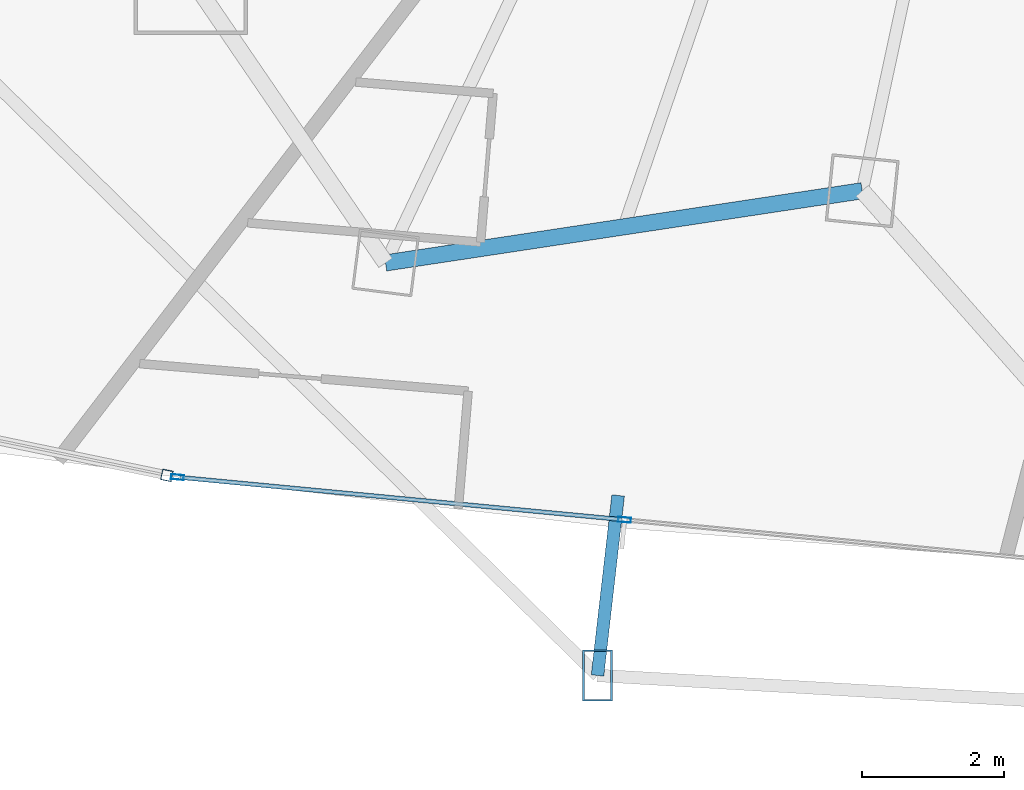
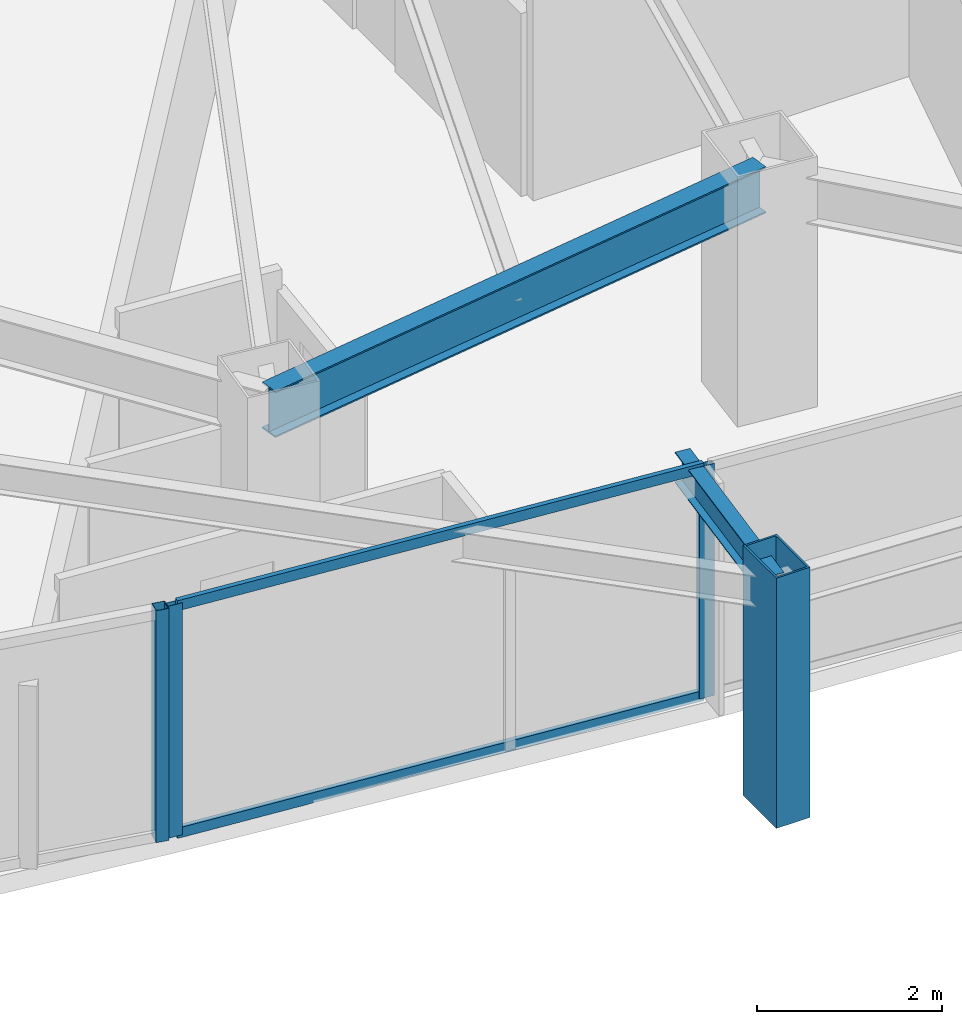
# One storey, part 4 of 34: 6 members, 2 beams, 2 elements without a shape of their own.
"""IFC4 building model written with IfcOpenShell, lengths in metres."""

from ifc_helpers import new_model, si_unit, direction, frame, origin, origin_2d, place, context, subcontext, project, spatial, hollow_rectangle, i_section, extrude, material, layer, layer_set, material_profile, profile_set, type_object, element, aggregate, save


model = new_model("IFC4")

# Units and contexts
model_context = context("Model", 3, precision=1e-05, world=origin(), true_north=direction((0.0, 1.0)))
body_context = subcontext(model_context, "Body", "Model", "MODEL_VIEW")
ifc_project = project(units=[si_unit("LENGTHUNIT", "METRE"), si_unit("AREAUNIT", "SQUARE_METRE"), si_unit("VOLUMEUNIT", "CUBIC_METRE"), si_unit("PLANEANGLEUNIT", "RADIAN"), si_unit("MASSUNIT", "GRAM", prefix="KILO")], contexts=[model_context])

# Site, building, storey
site_placement = place(None, origin())
site = spatial("IfcSite", under=ifc_project, at=site_placement, CompositionType="ELEMENT")
building_placement = place(site_placement, origin())
building = spatial("IfcBuilding", under=site, at=building_placement, Name="Orvanel Arch Residences", CompositionType="ELEMENT")
storey_placement = place(building_placement, frame((0.0, 0.0, 74.14990234375)))
storey = spatial("IfcBuildingStorey", under=building, at=storey_placement, Name="L20", CompositionType="ELEMENT", Elevation=74.14990234375)

# Member
ifc_material_1 = material(Name="Structural steel AS/NZS 3678 Grade 350", Category="steel")
ifc_material_profile_1 = material_profile(ifc_material_1, hollow_rectangle(XDim=0.419921875, YDim=0.719970703125, WallThickness=0.02490234375, at=origin_2d()), Name="RHS720x420x25")
ifc_profile_set_1 = profile_set([ifc_material_profile_1], Name="Structural steel AS/NZS 3678 Grade 350")
member_type_1 = type_object("IfcMemberType", Name="CH-720RHS-EXT", PredefinedType="CHORD", material=ifc_profile_set_1)
member_1_placement = place(storey_placement, frame((19.924072265625, 0.533935546875, 0.0), z_axis=(0.0, 0.0, 1.0), x_axis=(1.0, 0.0, 0.0)))
element("IfcMember", 1, at=member_1_placement, inside=storey, type_object=member_type_1, Name="L20 Outer Perimeter Frame Post 05", PredefinedType="CHORD", context=body_context, shape_type="SweptSolid", body=[
    extrude(hollow_rectangle(XDim=0.419921875, YDim=0.719970703125, WallThickness=0.02490234375, at=origin_2d()), origin(), (0.0, 0.0, 1.0), 3.300048828125),
])

# Curtain wall, member
ifc_material_2 = material(Name="Bronze-anodised aluminium AA6063-T6", Category="aluminium")
ifc_layer_1 = layer(ifc_material_2, 0.18994140625)
ifc_layer_set_1 = layer_set([ifc_layer_1], Name="Bronze-anodised aluminium AA6063-T6")
curtain_wall_type_1 = type_object("IfcCurtainWallType", Name="CW5-CRN-SYS", PredefinedType="NOTDEFINED", material=ifc_layer_set_1)
curtain_wall_1_placement = place(storey_placement, origin())
curtain_wall_1 = element("IfcCurtainWall", 2, at=curtain_wall_1_placement, inside=storey, type_object=curtain_wall_type_1, Name="L20 CW5-CRN-SYS Unitised Curtain Wall", PredefinedType="NOTDEFINED")
ifc_material_profile_2 = material_profile(ifc_material_2, hollow_rectangle(XDim=0.14990234375, YDim=0.14990234375, WallThickness=0.0048828125, at=origin_2d()), Name="ALU150x150x5")
ifc_profile_set_2 = profile_set([ifc_material_profile_2], Name="Bronze-anodised aluminium AA6063-T6")
member_type_2 = type_object("IfcMemberType", Name="MUL-150x150", PredefinedType="MULLION", material=ifc_profile_set_2)
member_2_placement = place(storey_placement, frame((13.863525390625, 3.349365234375, 0.0), z_axis=(0.0, 0.0, 1.0), x_axis=(0.203284384132, 0.97911973689, 0.0)))
member_2 = element("IfcMember", 3, at=member_2_placement, type_object=member_type_2, Name="CW-S5 mullion 3", PredefinedType="MULLION", context=body_context, shape_type="SweptSolid", body=[
    extrude(hollow_rectangle(XDim=0.14990234375, YDim=0.14990234375, WallThickness=0.0048828125, at=origin_2d()), origin(), (0.0, 0.0, 1.0), 3.06005859375),
])
aggregate(curtain_wall_1, [member_2])

# Curtain wall, members
ifc_layer_2 = layer(ifc_material_2, 0.179931640625)
ifc_layer_set_2 = layer_set([ifc_layer_2], Name="Bronze-anodised aluminium AA6063-T6")
curtain_wall_type_2 = type_object("IfcCurtainWallType", Name="CW2-LOW-SYS", PredefinedType="NOTDEFINED", material=ifc_layer_set_2)
curtain_wall_2_placement = place(storey_placement, origin())
curtain_wall_2 = element("IfcCurtainWall", 4, at=curtain_wall_2_placement, inside=storey, type_object=curtain_wall_type_2, Name="L20 CW2-LOW-SYS Unitised Curtain Wall", PredefinedType="NOTDEFINED")
ifc_material_profile_3 = material_profile(ifc_material_2, hollow_rectangle(XDim=0.070068359375, YDim=0.179931640625, WallThickness=0.00439453125, at=origin_2d()), Name="ALU180x70x4.5")
ifc_profile_set_3 = profile_set([ifc_material_profile_3], Name="Bronze-anodised aluminium AA6063-T6")
member_type_3 = type_object("IfcMemberType", Name="MUL-180x70", PredefinedType="MULLION", material=ifc_profile_set_3)
member_3_placement = place(storey_placement, frame((14.011962890625, 3.32470703125, 0.0), z_axis=(0.0, 0.0, 1.0), x_axis=(0.095024396079, 0.995474944009, 0.0)))
member_3 = element("IfcMember", 5, at=member_3_placement, type_object=member_type_3, Name="CW-S2 mullion 1", PredefinedType="MULLION", context=body_context, shape_type="SweptSolid", body=[
    extrude(hollow_rectangle(XDim=0.070068359375, YDim=0.179931640625, WallThickness=0.00439453125, at=origin_2d()), origin(), (0.0, 0.0, 1.0), 3.06005859375),
])
member_4_placement = place(storey_placement, frame((20.304443359375, 2.72412109375, 0.0), z_axis=(0.0, 0.0, 1.0), x_axis=(0.095024396079, 0.995474944009, 0.0)))
member_4 = element("IfcMember", 6, at=member_4_placement, type_object=member_type_3, Name="CW-S2 mullion 2", PredefinedType="MULLION", context=body_context, shape_type="SweptSolid", body=[
    extrude(hollow_rectangle(XDim=0.070068359375, YDim=0.179931640625, WallThickness=0.00439453125, at=origin_2d()), origin(), (0.0, 0.0, 1.0), 3.06005859375),
])

# Beams
ifc_material_3 = material(Name="Structural steel AS/NZS 3679.1 Grade 300 (300 MPa)", Category="steel")
ifc_material_profile_4 = material_profile(ifc_material_3, i_section(OverallWidth=0.177978515625, OverallDepth=0.406005859375, WebThickness=0.0078125, FlangeThickness=0.0126953125, at=origin_2d()), Name="410UB59.7")
ifc_profile_set_4 = profile_set([ifc_material_profile_4], Name="Structural steel AS/NZS 3679.1 Grade 300 (300 MPa)")
beam_type_1 = type_object("IfcBeamType", Name="OB-410UB-EXT", PredefinedType="SPANDREL", material=ifc_profile_set_4)
beam_1_placement = place(storey_placement, frame((20.214111328125, 3.06689453125, 2.857177734375), z_axis=(-0.113762646049, -0.99350795687, 0.0), x_axis=(0.99350795687, -0.113762646049, 0.0)))
element("IfcBeam", 7, at=beam_1_placement, inside=storey, type_object=beam_type_1, Name="L20 Outer Frame Radial Tie Beam 05", PredefinedType="SPANDREL", context=body_context, shape_type="SweptSolid", body=[
    extrude(i_section(OverallWidth=0.177978515625, OverallDepth=0.406005859375, WebThickness=0.0078125, FlangeThickness=0.0126953125, at=origin_2d()), origin(), (0.0, 0.0, 1.0), 2.549560546875),
])
ifc_material_profile_5 = material_profile(ifc_material_3, i_section(OverallWidth=0.22900390625, OverallDepth=0.612060546875, WebThickness=0.011962890625, FlangeThickness=0.01953125, at=origin_2d()), Name="610UB125")
ifc_profile_set_5 = profile_set([ifc_material_profile_5], Name="Structural steel AS/NZS 3679.1 Grade 300 (300 MPa)")
beam_type_2 = type_object("IfcBeamType", Name="SP-610UB", PredefinedType="SPANDREL", material=ifc_profile_set_5)
beam_2_placement = place(storey_placement, frame((16.94091796875, 6.339111328125, 2.754150390625), z_axis=(0.988726323014, 0.149733958002, 0.0), x_axis=(-0.149733958002, 0.988726323014, 0.0)))
element("IfcBeam", 8, at=beam_2_placement, inside=storey, type_object=beam_type_2, Name="L20 Perimeter Spandrel Beam 04", PredefinedType="SPANDREL", context=body_context, shape_type="SweptSolid", body=[
    extrude(i_section(OverallWidth=0.22900390625, OverallDepth=0.612060546875, WebThickness=0.011962890625, FlangeThickness=0.01953125, at=origin_2d()), origin(), (0.0, 0.0, 1.0), 6.784423828125),
])

# Member
ifc_material_profile_6 = material_profile(ifc_material_2, hollow_rectangle(XDim=0.06005859375, YDim=0.135009765625, WallThickness=0.00390625, at=origin_2d()), Name="ALU135x60x4")
ifc_profile_set_6 = profile_set([ifc_material_profile_6], Name="Bronze-anodised aluminium AA6063-T6")
member_type_4 = type_object("IfcMemberType", Name="TRN-135x60", PredefinedType="USERDEFINED", material=ifc_profile_set_6)
member_5_placement = place(storey_placement, frame((14.046630859375, 3.3212890625, 0.030029296875), z_axis=(0.99547561686, -0.095017347031, 0.0), x_axis=(0.095017347031, 0.99547561686, 0.0)))
member_5 = element("IfcMember", 9, at=member_5_placement, type_object=member_type_4, Name="CW-S2 transom 1.1", ObjectType="TRANSOM", PredefinedType="USERDEFINED", context=body_context, shape_type="SweptSolid", body=[
    extrude(hollow_rectangle(XDim=0.06005859375, YDim=0.135009765625, WallThickness=0.00390625, at=origin_2d()), origin(), (0.0, 0.0, 1.0), 6.25146484375),
])

member_6_placement = place(storey_placement, frame((14.046630859375, 3.3212890625, 3.030029296875), z_axis=(0.99547561686, -0.095017347031, 0.0), x_axis=(0.095017347031, 0.99547561686, 0.0)))
member_6 = element("IfcMember", 10, at=member_6_placement, type_object=member_type_4, Name="CW-S2 transom 1.2", ObjectType="TRANSOM", PredefinedType="USERDEFINED", context=body_context, shape_type="SweptSolid", body=[
    extrude(hollow_rectangle(XDim=0.06005859375, YDim=0.135009765625, WallThickness=0.00390625, at=origin_2d()), origin(), (0.0, 0.0, 1.0), 6.25146484375),
])

aggregate(curtain_wall_2, [member_3, member_4, member_5, member_6])

save(model, "model.ifc")
